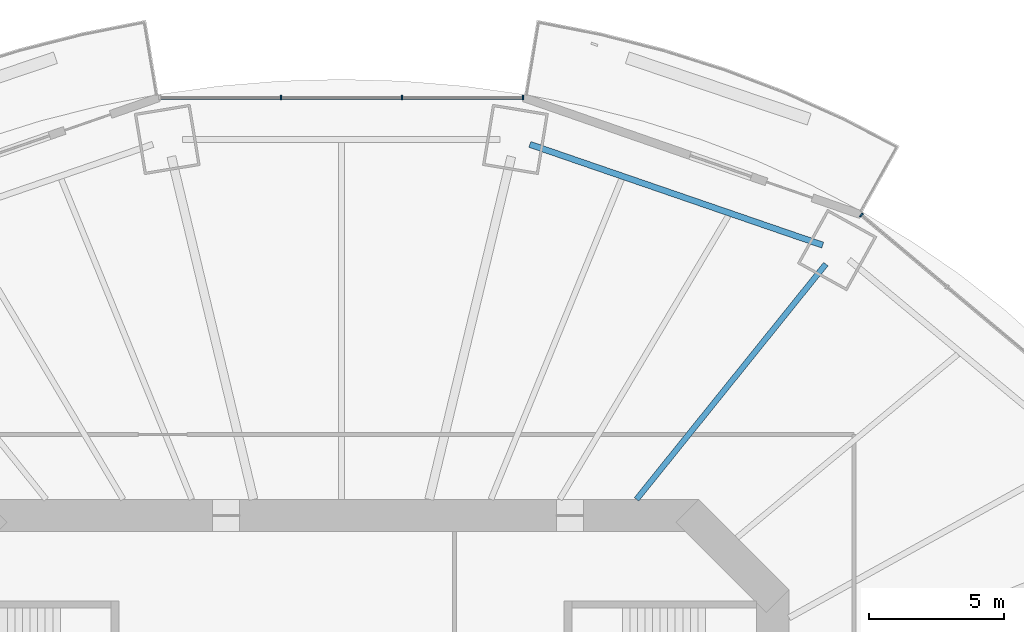
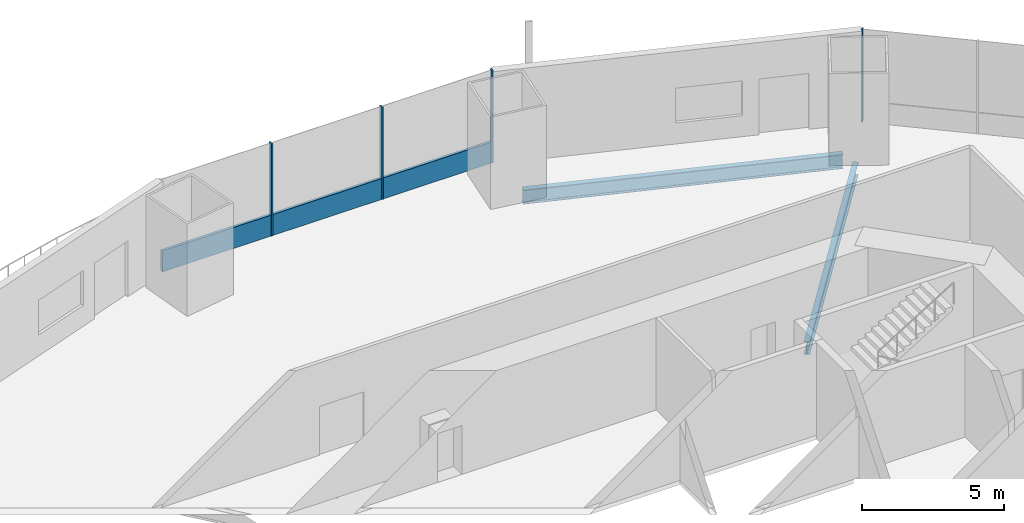
# One storey, part 9 of 22: 5 members, 2 beams, 2 elements without a shape of their own.
"""IFC4 building model written with IfcOpenShell, lengths in metres."""

import ifcopenshell
import ifcopenshell.guid

model = None  # the IFC model being written
_history = None  # IfcOwnerHistory: only IFC2X3 demands one
_inside = {}  # id of a spatial element -> (the spatial element, [elements in it])
_under = {}  # id of a project, library or spatial element -> (it, [spatial elements below it])
_declared = {}  # id of a project -> (the project, [libraries it declares])
_typed = {}  # id of a type object -> (the type object, [elements of that type])
_made_of = {}  # id of a material, layer set ... -> (it, [elements and type objects made of it])


def new_model(schema):
    """Start an empty IFC model of exactly this schema.

    Asked for "IFC4X3", IfcOpenShell would pick the latest addendum, in which some entities
    have other attributes; the version numbers below select the first issue.
    IFC2X3 requires an IfcOwnerHistory on every rooted entity: one is made here for all.
    """
    global model, _history
    if schema == "IFC4X3":
        model = ifcopenshell.file(schema_version=(4, 3, 0, 0))
    else:
        model = ifcopenshell.file(schema=schema)
    _inside.clear()
    _under.clear()
    _declared.clear()
    _typed.clear()
    _made_of.clear()
    _history = None
    if model.schema == "IFC2X3":
        org = make("IfcOrganization", Name="unknown")
        user = make(
            "IfcPersonAndOrganization",
            ThePerson=make("IfcPerson", FamilyName="unknown"),
            TheOrganization=org,
        )
        app = make(
            "IfcApplication",
            ApplicationDeveloper=org,
            Version="unknown",
            ApplicationFullName="unknown",
            ApplicationIdentifier="unknown",
        )
        _history = make(
            "IfcOwnerHistory",
            OwningUser=user,
            OwningApplication=app,
            ChangeAction="ADDED",
            CreationDate=0,
        )
    return model


def make(cls, **values):
    """One entity of the class cls with the attributes given. An attribute that is None is left unset."""
    return model.create_entity(
        cls, **{name: value for name, value in values.items() if value is not None}
    )


def rooted(cls, **values):
    """An entity with a GlobalId (a new one), such as an element, a storey or a relation."""
    return make(cls, GlobalId=ifcopenshell.guid.new(), OwnerHistory=_history, **values)


def si_unit(unit_type, name, prefix=None):
    """IfcSIUnit, for example si_unit("LENGTHUNIT", "METRE", prefix="MILLI")."""
    return make("IfcSIUnit", UnitType=unit_type, Prefix=prefix, Name=name)


def assignment(units):
    """IfcUnitAssignment: the units of a project."""
    return None if units is None else make("IfcUnitAssignment", Units=units)


def point(xyz):
    """IfcCartesianPoint."""
    return None if xyz is None else make("IfcCartesianPoint", Coordinates=xyz)


def direction(xyz):
    """IfcDirection."""
    return None if xyz is None else make("IfcDirection", DirectionRatios=xyz)


def frame(location, z_axis=None, x_axis=None):
    """IfcAxis2Placement3D, a coordinate frame: its origin and axes. An axis left out is left unset."""
    return make(
        "IfcAxis2Placement3D",
        Location=point(location),
        Axis=direction(z_axis),
        RefDirection=direction(x_axis),
    )


def frame_2d(location, x_axis=None):
    """IfcAxis2Placement2D, a coordinate frame in the plane: its origin and x axis."""
    return make(
        "IfcAxis2Placement2D", Location=point(location), RefDirection=direction(x_axis)
    )


def origin():
    """The frame at (0, 0, 0) with its axes left unset."""
    return frame((0.0, 0.0, 0.0))


def origin_2d():
    """The frame at (0, 0) in the plane with its x axis left unset."""
    return frame_2d((0.0, 0.0))


def place(relative_to, where):
    """IfcLocalPlacement: puts the frame where relative to a parent placement (None: the world)."""
    return make(
        "IfcLocalPlacement", PlacementRelTo=relative_to, RelativePlacement=where
    )


def context(
    kind, dimensions, precision=None, world=None, true_north=None, identifier=None
):
    """IfcGeometricRepresentationContext, for example the 3D "Model" context."""
    return make(
        "IfcGeometricRepresentationContext",
        ContextIdentifier=identifier,
        ContextType=kind,
        CoordinateSpaceDimension=dimensions,
        Precision=precision,
        WorldCoordinateSystem=world,
        TrueNorth=true_north,
    )


def subcontext(parent, identifier, kind, view, scale=None):
    """IfcGeometricRepresentationSubContext, for example "Body" below "Model"."""
    return make(
        "IfcGeometricRepresentationSubContext",
        ContextIdentifier=identifier,
        ContextType=kind,
        ParentContext=parent,
        TargetScale=scale,
        TargetView=view,
    )


def project(units=None, contexts=None):
    """IfcProject with its units and contexts."""
    return rooted(
        "IfcProject",
        Name="project",
        RepresentationContexts=contexts,
        UnitsInContext=assignment(units),
    )


def spatial(cls, under=None, at=None, **own):
    """A site, building, storey or space (cls), placed at a placement, below another one or the project."""
    s = rooted(cls, ObjectPlacement=at, **own)
    if under is not None:
        _under.setdefault(under.id(), (under, []))[1].append(s)
    return s


def profile(cls, at=None, kind="AREA", **sizes):
    """A parametric profile (cls). Its sizes go by their IFC names, for example OverallWidth=200.0."""
    return make(cls, ProfileType=kind, Position=at, **sizes)


def rectangle(**sizes):
    """IfcRectangleProfileDef."""
    return profile("IfcRectangleProfileDef", **sizes)


def i_section(**sizes):
    """IfcIShapeProfileDef."""
    return profile("IfcIShapeProfileDef", **sizes)


def extrude(swept, where, along, depth):
    """IfcExtrudedAreaSolid: the profile swept, set in the frame where, extruded along a direction by depth."""
    return make(
        "IfcExtrudedAreaSolid",
        SweptArea=swept,
        Position=where,
        ExtrudedDirection=direction(along),
        Depth=depth,
    )


def shape(context_of_items, identifier, shape_type, items):
    """IfcShapeRepresentation: the items that make up one representation, for example the "Body"."""
    return make(
        "IfcShapeRepresentation",
        ContextOfItems=context_of_items,
        RepresentationIdentifier=identifier,
        RepresentationType=shape_type,
        Items=items,
    )


def material(Name=None, Category=None):
    """IfcMaterial."""
    return make("IfcMaterial", Name=Name, Category=Category)


def material_profile(
    of_material, cross_section, Name=None, Category=None, Priority=None
):
    """IfcMaterialProfile: a cross section and its material."""
    return make(
        "IfcMaterialProfile",
        Name=Name,
        Material=of_material,
        Profile=cross_section,
        Priority=Priority,
        Category=Category,
    )


def profile_set(profiles, Name=None, composite=None):
    """IfcMaterialProfileSet."""
    return make(
        "IfcMaterialProfileSet",
        Name=Name,
        MaterialProfiles=profiles,
        CompositeProfile=composite,
    )


def made_of(thing, what):
    """Note that an element or type object is made of a material, layer set ...; save() writes the relation."""
    if what is not None:
        _made_of.setdefault(what.id(), (what, []))[1].append(thing)
    return thing


def type_object(cls, material=None, **own):
    """A type object (cls), such as IfcWallType, which elements share."""
    return made_of(rooted(cls, **own), material)


def element(
    cls,
    number,
    at=None,
    inside=None,
    cuts=None,
    type_object=None,
    material=None,
    context=None,
    identifier="Body",
    shape_type=None,
    held_by="IfcProductDefinitionShape",
    body=None,
    shapes=None,
    **own,
):
    """One element of the class cls, such as IfcWall. Its Tag is "e" and its number.

    at: its placement. inside: the storey or other place that contains it. cuts: it is an
    opening in that element (IfcRelVoidsElement). A single representation is given by context,
    identifier, shape_type and body (its items); several are given by shapes. held_by: the class
    of the entity that holds the representations. save() writes the other relations.
    """
    e = rooted(cls, Tag="e%d" % number, ObjectPlacement=at, **own)
    if body is not None:
        shapes = [shape(context, identifier, shape_type, body)]
    if shapes is not None:
        e.Representation = make(held_by, Representations=shapes)
    if inside is not None:
        _inside.setdefault(inside.id(), (inside, []))[1].append(e)
    if cuts is not None:
        rooted(
            "IfcRelVoidsElement", RelatingBuildingElement=cuts, RelatedOpeningElement=e
        )
    if type_object is not None:
        _typed.setdefault(type_object.id(), (type_object, []))[1].append(e)
    return made_of(e, material)


def aggregate(whole, parts):
    """IfcRelAggregates: a whole, such as a stair, and the parts it consists of."""
    return rooted("IfcRelAggregates", RelatingObject=whole, RelatedObjects=parts)


def save(model, path):
    """Write the relations noted so far, then the file.

    IfcRelAggregates (storeys below a building ...), IfcRelContainedInSpatialStructure (elements
    in a storey), IfcRelDefinesByType, IfcRelAssociatesMaterial and IfcRelDeclares: one each for
    every whole, place, type object, material and project.
    """
    for whole, parts in _under.values():
        aggregate(whole, parts)
    for where, things in _inside.values():
        rooted(
            "IfcRelContainedInSpatialStructure",
            RelatedElements=things,
            RelatingStructure=where,
        )
    for kind, things in _typed.values():
        rooted("IfcRelDefinesByType", RelatedObjects=things, RelatingType=kind)
    for what, things in _made_of.values():
        rooted("IfcRelAssociatesMaterial", RelatedObjects=things, RelatingMaterial=what)
    for by, libraries in _declared.values():
        rooted("IfcRelDeclares", RelatingContext=by, RelatedDefinitions=libraries)
    model.write(path)


model = new_model("IFC4")

# Units and contexts
model_context = context("Model", 3, precision=1e-05, world=origin(), true_north=direction((0.0, 1.0)))
body_context = subcontext(model_context, "Body", "Model", "MODEL_VIEW")
ifc_project = project(units=[si_unit("LENGTHUNIT", "METRE"), si_unit("AREAUNIT", "SQUARE_METRE"), si_unit("VOLUMEUNIT", "CUBIC_METRE"), si_unit("PLANEANGLEUNIT", "RADIAN"), si_unit("MASSUNIT", "GRAM", prefix="KILO")], contexts=[model_context])

# Site, building, storey
site_placement = place(None, origin())
site = spatial("IfcSite", under=ifc_project, at=site_placement, CompositionType="ELEMENT")
building_placement = place(site_placement, origin())
building = spatial("IfcBuilding", under=site, at=building_placement, Name="Marenthal Gate Tower", CompositionType="ELEMENT")
storey_placement = place(building_placement, frame((0.0, 0.0, 99.39990234375)))
storey = spatial("IfcBuildingStorey", under=building, at=storey_placement, Name="L20", CompositionType="ELEMENT", Elevation=99.39990234375)

# Curtain wall, member
ifc_material_1 = material(Name="Aluminium and glass", Category="aluminium")
curtain_wall_type = type_object("IfcCurtainWallType", Name="Curtain wall typical low", PredefinedType="NOTDEFINED", material=ifc_material_1)
curtain_wall_1_placement = place(storey_placement, origin())
curtain_wall_1 = element("IfcCurtainWall", 1, at=curtain_wall_1_placement, inside=storey, type_object=curtain_wall_type, Name="Curtain wall L20 bay 2", PredefinedType="NOTDEFINED")
ifc_material_2 = material(Name="Aluminium", Category="aluminium")
ifc_material_profile_1 = material_profile(ifc_material_2, rectangle(XDim=0.159912109375, YDim=0.06005859375, at=origin_2d()), Name="60x160 aluminium mullion")
ifc_profile_set_1 = profile_set([ifc_material_profile_1], Name="Aluminium")
member_type_1 = type_object("IfcMemberType", Name="Mullion 60x160 typical low", PredefinedType="MULLION", material=ifc_profile_set_1)
member_1_placement = place(storey_placement, frame((19.283447265625, 24.137451171875, 0.0), z_axis=(0.0, 0.0, 1.0), x_axis=(-0.642307658805, -0.766446913648, 0.0)))
member_1 = element("IfcMember", 2, at=member_1_placement, type_object=member_type_1, Name="Mullion L20 bay 2.4", PredefinedType="MULLION", context=body_context, shape_type="SweptSolid", body=[
    extrude(rectangle(XDim=0.159912109375, YDim=0.06005859375, at=origin_2d()), origin(), (0.0, 0.0, 1.0), 3.97021484375),
])
aggregate(curtain_wall_1, [member_1])

# Curtain wall, members
curtain_wall_2_placement = place(storey_placement, origin())
curtain_wall_2 = element("IfcCurtainWall", 3, at=curtain_wall_2_placement, inside=storey, type_object=curtain_wall_type, Name="Curtain wall L20 bay 4", PredefinedType="NOTDEFINED")
member_2_placement = place(storey_placement, frame((6.7333984375, 28.494873046875, 0.0), z_axis=(0.0, 0.0, 1.0), x_axis=(0.0, -1.0, 0.0)))
member_2 = element("IfcMember", 4, at=member_2_placement, type_object=member_type_1, Name="Mullion L20 bay 4.1", PredefinedType="MULLION", context=body_context, shape_type="SweptSolid", body=[
    extrude(rectangle(XDim=0.159912109375, YDim=0.06005859375, at=origin_2d()), origin(), (0.0, 0.0, 1.0), 3.97021484375),
])
member_3_placement = place(storey_placement, frame((2.244384765625, 28.494873046875, 0.0), z_axis=(0.0, 0.0, 1.0), x_axis=(0.0, -1.0, 0.0)))
member_3 = element("IfcMember", 5, at=member_3_placement, type_object=member_type_1, Name="Mullion L20 bay 4.2", PredefinedType="MULLION", context=body_context, shape_type="SweptSolid", body=[
    extrude(rectangle(XDim=0.159912109375, YDim=0.06005859375, at=origin_2d()), origin(), (0.0, 0.0, 1.0), 3.97021484375),
])
member_4_placement = place(storey_placement, frame((-2.244384765625, 28.494873046875, 0.0), z_axis=(0.0, 0.0, 1.0), x_axis=(0.0, -1.0, 0.0)))
member_4 = element("IfcMember", 6, at=member_4_placement, type_object=member_type_1, Name="Mullion L20 bay 4.3", PredefinedType="MULLION", context=body_context, shape_type="SweptSolid", body=[
    extrude(rectangle(XDim=0.159912109375, YDim=0.06005859375, at=origin_2d()), origin(), (0.0, 0.0, 1.0), 3.97021484375),
])
ifc_material_3 = material(Name="Aluminium", Category="aluminium")
ifc_material_profile_2 = material_profile(ifc_material_3, rectangle(XDim=0.1201171875, YDim=0.89990234375, at=origin_2d()), Name="120x900 aluminium transom")
ifc_profile_set_2 = profile_set([ifc_material_profile_2], Name="Aluminium")
member_type_2 = type_object("IfcMemberType", Name="Transom 120x900 typical low", PredefinedType="USERDEFINED", material=ifc_profile_set_2)
member_5_placement = place(storey_placement, frame((6.703369140625, 28.494873046875, 0.4501953125), z_axis=(-1.0, 0.0, 0.0), x_axis=(0.0, -1.0, 0.0)))
member_5 = element("IfcMember", 7, at=member_5_placement, type_object=member_type_2, Name="Transom L20 bay 4", ObjectType="TRANSOM", PredefinedType="USERDEFINED", context=body_context, shape_type="SweptSolid", body=[
    extrude(rectangle(XDim=0.1201171875, YDim=0.89990234375, at=origin_2d()), origin(), (0.0, 0.0, 1.0), 13.40673828125),
])
aggregate(curtain_wall_2, [member_2, member_3, member_4, member_5])

# Beams
ifc_material_4 = material(Name="Steel S355", Category="steel")
ifc_material_profile_3 = material_profile(ifc_material_4, i_section(OverallWidth=0.2119140625, OverallDepth=0.5439453125, WebThickness=0.01318359375, FlangeThickness=0.021240234375, FilletRadius=0.0126953125, at=origin_2d()), Name="W530X123")
ifc_profile_set_3 = profile_set([ifc_material_profile_3], Name="Steel S355")
beam_type_1 = type_object("IfcBeamType", Name="W530X123 beam", PredefinedType="BEAM", material=ifc_profile_set_3)
beam_1_placement = place(storey_placement, frame((17.964599609375, 22.3232421875, -0.451904296875), z_axis=(-0.626952602909, -0.779057400777, 0.0), x_axis=(0.779057400777, -0.626952602909, 0.0)))
element("IfcBeam", 8, at=beam_1_placement, inside=storey, type_object=beam_type_1, Name="BM-L20-03", PredefinedType="BEAM", context=body_context, shape_type="SweptSolid", body=[
    extrude(i_section(OverallWidth=0.2119140625, OverallDepth=0.5439453125, WebThickness=0.01318359375, FlangeThickness=0.021240234375, FilletRadius=0.0126953125, at=origin_2d()), origin(), (0.0, 0.0, 1.0), 11.197021484375),
])
ifc_material_5 = material(Name="Steel S355", Category="steel")
ifc_material_profile_4 = material_profile(ifc_material_5, i_section(OverallWidth=0.22900390625, OverallDepth=0.612060546875, WebThickness=0.011962890625, FlangeThickness=0.01953125, FilletRadius=0.0126953125, at=origin_2d()), Name="W610X125")
ifc_profile_set_4 = profile_set([ifc_material_profile_4], Name="Steel S355")
beam_type_2 = type_object("IfcBeamType", Name="W610X125 beam", PredefinedType="BEAM", material=ifc_profile_set_4)
beam_2_placement = place(storey_placement, frame((17.84716796875, 23.027099609375, -0.48583984375), z_axis=(-0.945633885285, 0.325233077963, 0.0), x_axis=(-0.325233077963, -0.945633885285, 0.0)))
element("IfcBeam", 9, at=beam_2_placement, inside=storey, type_object=beam_type_2, Name="BM-L20-43", PredefinedType="BEAM", context=body_context, shape_type="SweptSolid", body=[
    extrude(i_section(OverallWidth=0.22900390625, OverallDepth=0.612060546875, WebThickness=0.011962890625, FlangeThickness=0.01953125, FilletRadius=0.0126953125, at=origin_2d()), origin(), (0.0, 0.0, 1.0), 11.482177734375),
])

save(model, "model.ifc")
